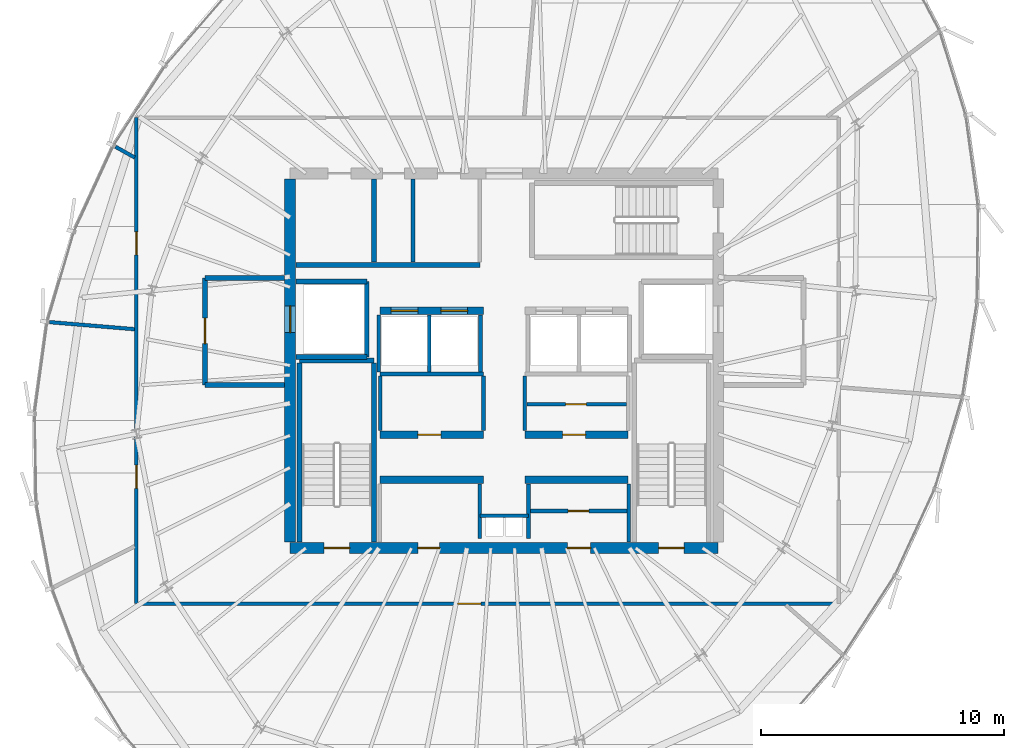
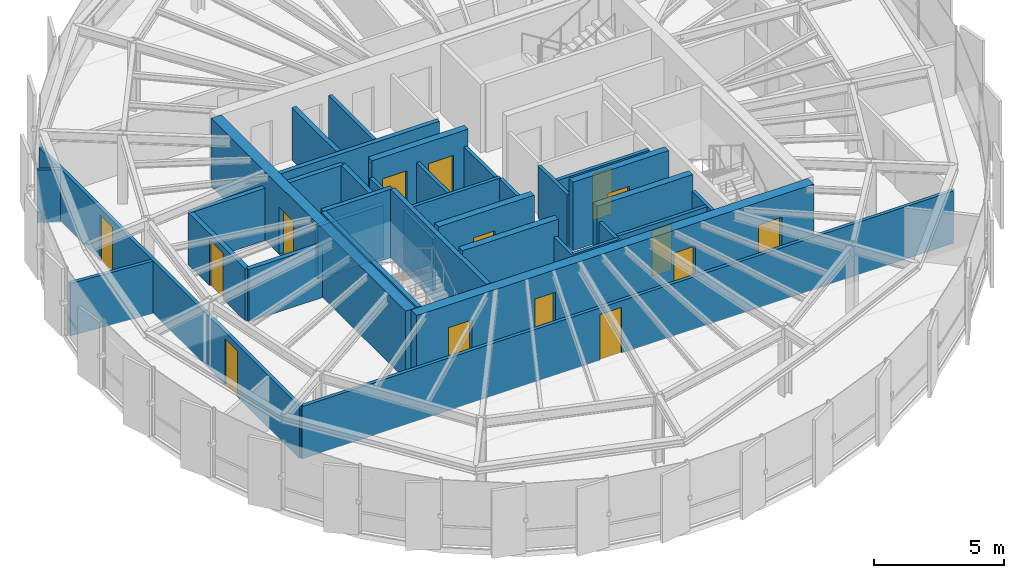
# One storey, part 26 of 32: 36 walls, 15 doors, 15 openings.
"""IFC4 building model written with IfcOpenShell, lengths in metres."""

from ifc_helpers import new_model, si_unit, direction, frame, frame_2d, origin, place, context, subcontext, project, spatial, rectangle, extrude, source, transform, mapped, material, layer, layer_set, type_object, element, fill, save


model = new_model("IFC4")

# Units and contexts
model_context = context("Model", 3, precision=1e-05, world=origin(), true_north=direction((0.0, 1.0)))
body_context = subcontext(model_context, "Body", "Model", "MODEL_VIEW")
ifc_project = project(units=[si_unit("LENGTHUNIT", "METRE"), si_unit("AREAUNIT", "SQUARE_METRE"), si_unit("VOLUMEUNIT", "CUBIC_METRE"), si_unit("PLANEANGLEUNIT", "RADIAN"), si_unit("MASSUNIT", "GRAM", prefix="KILO"), si_unit("THERMODYNAMICTEMPERATUREUNIT", "KELVIN")], contexts=[model_context])

# Site, building, storey
site_placement = place(None, origin())
site = spatial("IfcSite", under=ifc_project, at=site_placement, CompositionType="ELEMENT")
building_placement = place(site_placement, origin())
building = spatial("IfcBuilding", under=site, at=building_placement, Name="Kethvar Cultural Tower", CompositionType="ELEMENT")
storey_placement = place(building_placement, frame((0.0, 0.0, 280.14990234375)))
storey = spatial("IfcBuildingStorey", under=building, at=storey_placement, Name="L74", CompositionType="ELEMENT", Elevation=280.14990234375)

# Wall, openings, doors
ifc_material_1 = material(Name="Concrete C50/60", Category="concrete")
ifc_layer_1 = layer(ifc_material_1, 0.449951171875, Name="Concrete C50/60", Category="concrete")
ifc_layer_set_1 = layer_set([ifc_layer_1], Name="Concrete C50/60 (450 mm)")
wall_type_1 = type_object("IfcWallType", Name="WL-CORE-450", PredefinedType="SHEAR", material=ifc_layer_set_1)
wall_1_placement = place(storey_placement, frame((38.0, 20.10009765625, 0.0), z_axis=(0.0, 0.0, 1.0), x_axis=(1.0, 0.0, 0.0)))
wall_1 = element("IfcWall", 1, at=wall_1_placement, inside=storey, type_object=wall_type_1, Name="L74 Core Shear Wall S", PredefinedType="SHEAR", context=body_context, shape_type="SweptSolid", body=[
    extrude(rectangle(XDim=17.60009765625, YDim=0.449951171875, at=frame_2d((8.800048828125, 0.0))), origin(), (0.0, 0.0, 1.0), 3.210205078125),
])
opening_1_placement = place(wall_1_placement, frame((1.39990234375, 0.0, 0.0)))
opening_1 = element("IfcOpeningElement", 2, at=opening_1_placement, cuts=wall_1, Name="Opening D-L74-S1", PredefinedType="OPENING", context=body_context, shape_type="SweptSolid", body=[
    extrude(rectangle(XDim=1.050048828125, YDim=2.14990234375, at=frame_2d((0.52490234375, 1.074951171875))), frame((0.0, 0.23486328125, 0.0), z_axis=(0.0, -1.0, 0.0), x_axis=(1.0, 0.0, 0.0)), (0.0, 0.0, 1.0), 0.469970703125),
])
opening_2_placement = place(wall_1_placement, frame((15.14990234375, 0.0, 0.0)))
opening_2 = element("IfcOpeningElement", 3, at=opening_2_placement, cuts=wall_1, Name="Opening D-L74-ST2", PredefinedType="OPENING", context=body_context, shape_type="SweptSolid", body=[
    extrude(rectangle(XDim=1.050048828125, YDim=2.14990234375, at=frame_2d((0.52490234375, 1.074951171875))), frame((0.0, 0.23486328125, 0.0), z_axis=(0.0, -1.0, 0.0), x_axis=(1.0, 0.0, 0.0)), (0.0, 0.0, 1.0), 0.469970703125),
])
opening_3_placement = place(wall_1_placement, frame((5.25, 0.0, 0.0)))
opening_3 = element("IfcOpeningElement", 4, at=opening_3_placement, cuts=wall_1, Name="Opening D-L74-V1", PredefinedType="OPENING", context=body_context, shape_type="SweptSolid", body=[
    extrude(rectangle(XDim=0.89990234375, YDim=2.14990234375, at=frame_2d((0.449951171875, 1.074951171875))), frame((0.0, 0.23486328125, 0.0), z_axis=(0.0, -1.0, 0.0), x_axis=(1.0, 0.0, 0.0)), (0.0, 0.0, 1.0), 0.469970703125),
])
opening_4_placement = place(wall_1_placement, frame((11.39990234375, 0.0, 0.0)))
opening_4 = element("IfcOpeningElement", 5, at=opening_4_placement, cuts=wall_1, Name="Opening D-L74-V2", PredefinedType="OPENING", context=body_context, shape_type="SweptSolid", body=[
    extrude(rectangle(XDim=0.949951171875, YDim=2.14990234375, at=frame_2d((0.47509765625, 1.074951171875))), frame((0.0, 0.23486328125, 0.0), z_axis=(0.0, -1.0, 0.0), x_axis=(1.0, 0.0, 0.0)), (0.0, 0.0, 1.0), 0.469970703125),
])
ifc_material_2 = material(Name="Steel S355J2", Category="steel")
door_type_1 = type_object("IfcDoorType", Name="DR-FD60-1050", OperationType="NOTDEFINED", PredefinedType="DOOR", material=ifc_material_2)
shared_shape_1 = source(origin(), body_context, "Body", "SweptSolid", [
    extrude(rectangle(XDim=1.050048828125, YDim=2.14990234375, at=frame_2d((0.52490234375, 1.074951171875))), frame((0.0, 0.02490234375, 0.0), z_axis=(0.0, -1.0, 0.0), x_axis=(1.0, 0.0, 0.0)), (0.0, 0.0, 1.0), 0.050048828125),
])
door_1_placement = place(opening_1_placement, origin())
door_1 = element("IfcDoor", 6, at=door_1_placement, inside=storey, type_object=door_type_1, Name="L74 Exit Stair 1 Door", OperationType="SINGLE_SWING_LEFT", OverallHeight=2.14990234375, OverallWidth=1.050048828125, PredefinedType="DOOR", context=body_context, shape_type="MappedRepresentation", body=[
    mapped(shared_shape_1, transform((0.0, 0.0, 0.0), scale=1.0)),
])
fill(opening_1, door_1)
door_2_placement = place(opening_2_placement, origin())
door_2 = element("IfcDoor", 7, at=door_2_placement, inside=storey, type_object=door_type_1, Name="L74 Exit Stair 2 Door", OperationType="SINGLE_SWING_RIGHT", OverallHeight=2.14990234375, OverallWidth=1.050048828125, PredefinedType="DOOR", context=body_context, shape_type="MappedRepresentation", body=[
    mapped(shared_shape_1, transform((0.0, 0.0, 0.0), scale=1.0)),
])
fill(opening_2, door_2)
ifc_material_3 = material(Name="Architectural Oak Timber", Category="wood")
door_type_2 = type_object("IfcDoorType", Name="DR-FD30-950", OperationType="NOTDEFINED", PredefinedType="DOOR", material=ifc_material_3)
shared_shape_2 = source(origin(), body_context, "Body", "SweptSolid", [
    extrude(rectangle(XDim=0.949951171875, YDim=2.14990234375, at=frame_2d((0.47509765625, 1.074951171875))), frame((0.0, 0.02490234375, 0.0), z_axis=(0.0, -1.0, 0.0), x_axis=(1.0, 0.0, 0.0)), (0.0, 0.0, 1.0), 0.050048828125),
])
door_3_placement = place(opening_4_placement, origin())
door_3 = element("IfcDoor", 8, at=door_3_placement, inside=storey, type_object=door_type_2, Name="L74 Bindery Supply Door", OperationType="SINGLE_SWING_RIGHT", OverallHeight=2.14990234375, OverallWidth=0.949951171875, PredefinedType="DOOR", context=body_context, shape_type="MappedRepresentation", body=[
    mapped(shared_shape_2, transform((0.0, 0.0, 0.0), scale=1.0)),
])
fill(opening_4, door_3)
door_type_3 = type_object("IfcDoorType", Name="DR-FD30-900", OperationType="NOTDEFINED", PredefinedType="DOOR", material=ifc_material_3)
shared_shape_3 = source(origin(), body_context, "Body", "SweptSolid", [
    extrude(rectangle(XDim=0.89990234375, YDim=2.14990234375, at=frame_2d((0.449951171875, 1.074951171875))), frame((0.0, 0.02490234375, 0.0), z_axis=(0.0, -1.0, 0.0), x_axis=(1.0, 0.0, 0.0)), (0.0, 0.0, 1.0), 0.050048828125),
])
door_4_placement = place(opening_3_placement, origin())
door_4 = element("IfcDoor", 9, at=door_4_placement, inside=storey, type_object=door_type_3, Name="L74 Folio Vault Door", OperationType="SINGLE_SWING_LEFT", OverallHeight=2.14990234375, OverallWidth=0.89990234375, PredefinedType="DOOR", context=body_context, shape_type="MappedRepresentation", body=[
    mapped(shared_shape_3, transform((0.0, 0.0, 0.0), scale=1.0)),
])
fill(opening_3, door_4)

# Wall, opening, door
wall_2_placement = place(storey_placement, frame((38.0, 35.260009765625, 0.0), z_axis=(0.0, 0.0, 1.0), x_axis=(0.0, -1.0, 0.0)))
wall_2 = element("IfcWall", 10, at=wall_2_placement, inside=storey, type_object=wall_type_1, Name="L74 Core Shear Wall W", PredefinedType="SHEAR", context=body_context, shape_type="SweptSolid", body=[
    extrude(rectangle(XDim=14.919921875, YDim=0.449951171875, at=frame_2d((7.4599609375, 0.0))), origin(), (0.0, 0.0, 1.0), 3.210205078125),
])
opening_5_placement = place(wall_2_placement, frame((5.2099609375, 0.0, 0.0)))
opening_5 = element("IfcOpeningElement", 11, at=opening_5_placement, cuts=wall_2, Name="Opening LD-1", PredefinedType="OPENING", context=body_context, shape_type="SweptSolid", body=[
    extrude(rectangle(XDim=1.10009765625, YDim=2.199951171875, at=frame_2d((0.550048828125, 1.10009765625))), frame((0.0, 0.23486328125, 0.0), z_axis=(0.0, -1.0, 0.0), x_axis=(1.0, 0.0, 0.0)), (0.0, 0.0, 1.0), 0.469970703125),
])
door_type_4 = type_object("IfcDoorType", Name="DR-LIFT-SLIDE-1100", OperationType="NOTDEFINED", PredefinedType="DOOR", material=ifc_material_2)
shared_shape_4 = source(origin(), body_context, "Body", "SweptSolid", [
    extrude(rectangle(XDim=1.10009765625, YDim=2.199951171875, at=frame_2d((0.550048828125, 1.10009765625))), frame((0.0, 0.02490234375, 0.0), z_axis=(0.0, -1.0, 0.0), x_axis=(1.0, 0.0, 0.0)), (0.0, 0.0, 1.0), 0.050048828125),
])
door_5_placement = place(opening_5_placement, origin())
door_5 = element("IfcDoor", 12, at=door_5_placement, inside=storey, type_object=door_type_4, Name="L74 Firefighting Lift Landing Door FFL-01", OperationType="SLIDING_TO_LEFT", OverallHeight=2.199951171875, OverallWidth=1.10009765625, PredefinedType="DOOR", context=body_context, shape_type="MappedRepresentation", body=[
    mapped(shared_shape_4, transform((0.0, 0.0, 0.0), scale=1.0)),
])
fill(opening_5, door_5)

# Walls
ifc_material_4 = material(Name="Gypsum Fireboard Partition")
ifc_layer_2 = layer(ifc_material_4, 0.14990234375, Name="Gypsum Fireboard Partition")
ifc_layer_set_2 = layer_set([ifc_layer_2], Name="Gypsum Fireboard Partition (150 mm)")
wall_type_2 = type_object("IfcWallType", Name="WL-FIRE-150", PredefinedType="PARTITIONING", material=ifc_layer_set_2)
wall_3_placement = place(storey_placement, frame((45.800048828125, 21.419921875, 0.0), z_axis=(0.0, 0.0, 1.0), x_axis=(1.0, 0.0, 0.0)))
element("IfcWall", 13, at=wall_3_placement, inside=storey, type_object=wall_type_2, Name="L74 Core Riser Wall", PredefinedType="PARTITIONING", context=body_context, shape_type="SweptSolid", body=[
    extrude(rectangle(XDim=2.0, YDim=0.14990234375, at=frame_2d((1.0, 0.0))), origin(), (0.0, 0.0, 1.0), 2.455078125),
])
for number, where, z_axis, x_axis, name in (
    (14, (45.800048828125, 20.47998046875, 0.0), (0.0, 0.0, 1.0), (0.0, 1.0, 0.0), "L74 Core Riser West Wall"),
    (15, (47.800048828125, 20.47998046875, 0.0), (0.0, 0.0, 1.0), (0.0, 1.0, 0.0), "L74 Core Riser East Wall"),
):
    element("IfcWall", number, at=place(storey_placement, frame(where, z_axis=z_axis, x_axis=x_axis)), inside=storey, type_object=wall_type_2, Name=name, PredefinedType="PARTITIONING", context=body_context, shape_type="SweptSolid", body=[
        extrude(rectangle(XDim=2.239990234375, YDim=0.14990234375, at=frame_2d((1.1201171875, 0.0))), origin(), (0.0, 0.0, 1.0), 2.455078125),
    ])
wall_4_placement = place(storey_placement, frame((51.919921875, 20.3349609375, 0.0), z_axis=(0.0, 0.0, 1.0), x_axis=(0.0, 1.0, 0.0)))
element("IfcWall", 16, at=wall_4_placement, inside=storey, type_object=wall_type_2, Name="L74 Reclaimed East Outer Wall", PredefinedType="PARTITIONING", context=body_context, shape_type="SweptSolid", body=[
    extrude(rectangle(XDim=2.39501953125, YDim=0.14990234375, at=frame_2d((1.197509765625, 0.0))), origin(), (0.0, 0.0, 1.0), 2.455078125),
])

# Wall, opening, door
wall_5_placement = place(storey_placement, frame((47.8798828125, 21.6201171875, 0.0), z_axis=(0.0, 0.0, 1.0), x_axis=(1.0, 0.0, 0.0)))
wall_5 = element("IfcWall", 17, at=wall_5_placement, inside=storey, type_object=wall_type_2, Name="L74 Pantry Gallery Wall E", PredefinedType="PARTITIONING", context=body_context, shape_type="SweptSolid", body=[
    extrude(rectangle(XDim=3.960205078125, YDim=0.14990234375, at=frame_2d((1.97998046875, 0.0))), origin(), (0.0, 0.0, 1.0), 2.455078125),
])
opening_6_placement = place(wall_5_placement, frame((1.550048828125, 0.0, 0.0)))
opening_6 = element("IfcOpeningElement", 18, at=opening_6_placement, cuts=wall_5, Name="Opening D-L74-V3", PredefinedType="OPENING", context=body_context, shape_type="SweptSolid", body=[
    extrude(rectangle(XDim=0.85009765625, YDim=2.14990234375, at=frame_2d((0.425048828125, 1.074951171875))), frame((0.0, 0.0849609375, 0.0), z_axis=(0.0, -1.0, 0.0), x_axis=(1.0, 0.0, 0.0)), (0.0, 0.0, 1.0), 0.169921875),
])
door_type_5 = type_object("IfcDoorType", Name="DR-FD30-850", OperationType="NOTDEFINED", PredefinedType="DOOR", material=ifc_material_2)
shared_shape_5 = source(origin(), body_context, "Body", "SweptSolid", [
    extrude(rectangle(XDim=0.85009765625, YDim=2.14990234375, at=frame_2d((0.425048828125, 1.074951171875))), frame((0.0, 0.02490234375, 0.0), z_axis=(0.0, -1.0, 0.0), x_axis=(1.0, 0.0, 0.0)), (0.0, 0.0, 1.0), 0.050048828125),
])
door_6_placement = place(opening_6_placement, origin())
door_6 = element("IfcDoor", 19, at=door_6_placement, inside=storey, type_object=door_type_5, Name="L74 Inner Pantry Gallery Door", OperationType="SINGLE_SWING_RIGHT", OverallHeight=2.14990234375, OverallWidth=0.85009765625, PredefinedType="DOOR", context=body_context, shape_type="MappedRepresentation", body=[
    mapped(shared_shape_5, transform((0.0, 0.0, 0.0), scale=1.0)),
])
fill(opening_6, door_6)

# Walls
wall_6_placement = place(storey_placement, frame((41.699951171875, 27.25, 0.0), z_axis=(0.0, 0.0, 1.0), x_axis=(1.0, 0.0, 0.0)))
element("IfcWall", 20, at=wall_6_placement, inside=storey, type_object=wall_type_2, Name="L74 Reclaimed Mid Wall W", PredefinedType="PARTITIONING", context=body_context, shape_type="SweptSolid", body=[
    extrude(rectangle(XDim=4.25, YDim=0.14990234375, at=frame_2d((2.125, 0.0))), origin(), (0.0, 0.0, 1.0), 2.455078125),
])
for number, where, z_axis, x_axis, name in (
    (21, (41.699951171875, 24.919921875, 0.0), (0.0, 0.0, 1.0), (0.0, 1.0, 0.0), "L74 Reclaimed Mid Outer W"),
    (22, (45.949951171875, 24.919921875, 0.0), (0.0, 0.0, 1.0), (0.0, 1.0, 0.0), "L74 Reclaimed Mid Spine W"),
    (23, (47.64990234375, 24.919921875, 0.0), (0.0, 0.0, 1.0), (0.0, 1.0, 0.0), "L74 Reclaimed Mid Spine E"),
):
    element("IfcWall", number, at=place(storey_placement, frame(where, z_axis=z_axis, x_axis=x_axis)), inside=storey, type_object=wall_type_2, Name=name, PredefinedType="PARTITIONING", context=body_context, shape_type="SweptSolid", body=[
        extrude(rectangle(XDim=2.239990234375, YDim=0.14990234375, at=frame_2d((1.1201171875, 0.0))), origin(), (0.0, 0.0, 1.0), 2.455078125),
    ])

# Wall, opening, door
wall_7_placement = place(storey_placement, frame((47.72998046875, 26.010009765625, 0.0), z_axis=(0.0, 0.0, 1.0), x_axis=(1.0, 0.0, 0.0)))
wall_7 = element("IfcWall", 24, at=wall_7_placement, inside=storey, type_object=wall_type_2, Name="L74 Mid Gallery Wall E", PredefinedType="PARTITIONING", context=body_context, shape_type="SweptSolid", body=[
    extrude(rectangle(XDim=4.090087890625, YDim=0.14990234375, at=frame_2d((2.044921875, 0.0))), origin(), (0.0, 0.0, 1.0), 2.455078125),
])
opening_7_placement = place(wall_7_placement, frame((1.60009765625, 0.0, 0.0)))
opening_7 = element("IfcOpeningElement", 25, at=opening_7_placement, cuts=wall_7, Name="Opening D-L74-M3", PredefinedType="OPENING", context=body_context, shape_type="SweptSolid", body=[
    extrude(rectangle(XDim=0.85009765625, YDim=2.14990234375, at=frame_2d((0.425048828125, 1.074951171875))), frame((0.0, 0.0849609375, 0.0), z_axis=(0.0, -1.0, 0.0), x_axis=(1.0, 0.0, 0.0)), (0.0, 0.0, 1.0), 0.169921875),
])
door_7_placement = place(opening_7_placement, origin())
door_7 = element("IfcDoor", 26, at=door_7_placement, inside=storey, type_object=door_type_5, Name="L74 UPS Inner Door", OperationType="SINGLE_SWING_RIGHT", OverallHeight=2.14990234375, OverallWidth=0.85009765625, PredefinedType="DOOR", context=body_context, shape_type="MappedRepresentation", body=[
    mapped(shared_shape_5, transform((0.0, 0.0, 0.0), scale=1.0)),
])
fill(opening_7, door_7)

# Walls
for number, where, z_axis, x_axis, name in (
    (27, (41.64990234375, 27.340087890625, 0.0), (0.0, 0.0, 1.0), (0.0, 1.0, 0.0), "L74 High-Rise Lift Shaft Outer Wall W"),
    (28, (43.72509765625, 27.340087890625, 0.0), (0.0, 0.0, 1.0), (0.0, 1.0, 0.0), "L74 High-Rise Lift Shaft Divider W"),
    (29, (45.824951171875, 27.340087890625, 0.0), (0.0, 0.0, 1.0), (0.0, 1.0, 0.0), "L74 High-Rise Lift Shaft Concourse Wall W"),
):
    element("IfcWall", number, at=place(storey_placement, frame(where, z_axis=z_axis, x_axis=x_axis)), inside=storey, type_object=wall_type_2, Name=name, PredefinedType="PARTITIONING", context=body_context, shape_type="SweptSolid", body=[
        extrude(rectangle(XDim=2.33984375, YDim=0.14990234375, at=frame_2d((1.169921875, 0.0))), origin(), (0.0, 0.0, 1.0), 2.455078125),
    ])

# Wall, opening, door
wall_8_placement = place(storey_placement, frame((31.679931640625, 17.806884765625, 0.0), z_axis=(0.0, 0.0, 1.0), x_axis=(1.0, 0.0, 0.0)))
wall_8 = element("IfcWall", 30, at=wall_8_placement, inside=storey, type_object=wall_type_2, Name="L74 Corridor Rated Wall S", PredefinedType="PARTITIONING", context=body_context, shape_type="SweptSolid", body=[
    extrude(rectangle(XDim=28.8701171875, YDim=0.14990234375, at=frame_2d((14.43505859375, 0.0))), origin(), (0.0, 0.0, 1.0), 2.455078125),
])
opening_8_placement = place(wall_8_placement, frame((13.208740234375, 0.0, 0.0)))
opening_8 = element("IfcOpeningElement", 31, at=opening_8_placement, cuts=wall_8, Name="Opening D-L74-01", PredefinedType="OPENING", context=body_context, shape_type="SweptSolid", body=[
    extrude(rectangle(XDim=0.949951171875, YDim=2.14990234375, at=frame_2d((0.47509765625, 1.074951171875))), frame((0.0, 0.0849609375, 0.0), z_axis=(0.0, -1.0, 0.0), x_axis=(1.0, 0.0, 0.0)), (0.0, 0.0, 1.0), 0.169921875),
])
door_8_placement = place(opening_8_placement, origin())
door_8 = element("IfcDoor", 32, at=door_8_placement, inside=storey, type_object=door_type_2, Name="L74 Panoramic Reading Lounge 01 Door", OperationType="SINGLE_SWING_LEFT", OverallHeight=2.14990234375, OverallWidth=0.949951171875, PredefinedType="DOOR", context=body_context, shape_type="MappedRepresentation", body=[
    mapped(shared_shape_2, transform((0.0, 0.0, 0.0), scale=1.0)),
])
fill(opening_8, door_8)

# Wall, openings, doors
wall_9_placement = place(storey_placement, frame((31.679931640625, 37.79296875, 0.0), z_axis=(0.0, 0.0, 1.0), x_axis=(0.0, -1.0, 0.0)))
wall_9 = element("IfcWall", 33, at=wall_9_placement, inside=storey, type_object=wall_type_2, Name="L74 Corridor Rated Wall W", PredefinedType="PARTITIONING", context=body_context, shape_type="SweptSolid", body=[
    extrude(rectangle(XDim=19.986083984375, YDim=0.14990234375, at=frame_2d((9.9931640625, 0.0))), origin(), (0.0, 0.0, 1.0), 2.455078125),
])
opening_9_placement = place(wall_9_placement, frame((4.69921875, 0.0, 0.0)))
opening_9 = element("IfcOpeningElement", 34, at=opening_9_placement, cuts=wall_9, Name="Opening D-L74-06", PredefinedType="OPENING", context=body_context, shape_type="SweptSolid", body=[
    extrude(rectangle(XDim=0.949951171875, YDim=2.14990234375, at=frame_2d((0.47509765625, 1.074951171875))), frame((0.0, 0.0849609375, 0.0), z_axis=(0.0, -1.0, 0.0), x_axis=(1.0, 0.0, 0.0)), (0.0, 0.0, 1.0), 0.169921875),
])
opening_10_placement = place(wall_9_placement, frame((14.289794921875, 0.0, 0.0)))
opening_10 = element("IfcOpeningElement", 35, at=opening_10_placement, cuts=wall_9, Name="Opening D-L74-07", PredefinedType="OPENING", context=body_context, shape_type="SweptSolid", body=[
    extrude(rectangle(XDim=0.949951171875, YDim=2.14990234375, at=frame_2d((0.47509765625, 1.074951171875))), frame((0.0, 0.0849609375, 0.0), z_axis=(0.0, -1.0, 0.0), x_axis=(1.0, 0.0, 0.0)), (0.0, 0.0, 1.0), 0.169921875),
])
door_9_placement = place(opening_9_placement, origin())
door_9 = element("IfcDoor", 36, at=door_9_placement, inside=storey, type_object=door_type_2, Name="L74 Scholars' Servery Pantry 06 Door", OperationType="SINGLE_SWING_RIGHT", OverallHeight=2.14990234375, OverallWidth=0.949951171875, PredefinedType="DOOR", context=body_context, shape_type="MappedRepresentation", body=[
    mapped(shared_shape_2, transform((0.0, 0.0, 0.0), scale=1.0)),
])
fill(opening_9, door_9)
door_10_placement = place(opening_10_placement, origin())
door_10 = element("IfcDoor", 37, at=door_10_placement, inside=storey, type_object=door_type_2, Name="L74 Cultural Periodicals Kiosk 07 Door", OperationType="SINGLE_SWING_LEFT", OverallHeight=2.14990234375, OverallWidth=0.949951171875, PredefinedType="DOOR", context=body_context, shape_type="MappedRepresentation", body=[
    mapped(shared_shape_2, transform((0.0, 0.0, 0.0), scale=1.0)),
])
fill(opening_10, door_10)

# Walls
ifc_material_5 = material(Name="Concrete C40/50", Category="concrete")
ifc_layer_3 = layer(ifc_material_5, 0.199951171875, Name="Concrete C40/50", Category="concrete")
ifc_layer_set_3 = layer_set([ifc_layer_3], Name="Concrete C40/50 (200 mm)")
wall_type_3 = type_object("IfcWallType", Name="WL-FIRE-200", PredefinedType="PARTITIONING", material=ifc_layer_set_3)
wall_10_placement = place(storey_placement, frame((41.14990234375, 27.949951171875, 0.0), z_axis=(0.0, 0.0, 1.0), x_axis=(0.0, 1.0, 0.0)))
element("IfcWall", 38, at=wall_10_placement, inside=storey, type_object=wall_type_3, Name="L74 FFL-01 Shaft Inner Wall", PredefinedType="PARTITIONING", context=body_context, shape_type="SweptSolid", body=[
    extrude(rectangle(XDim=3.10009765625, YDim=0.199951171875, at=frame_2d((1.550048828125, 0.0))), origin(), (0.0, 0.0, 1.0), 2.455078125),
])
for number, where, z_axis, x_axis, name in (
    (39, (38.235107421875, 27.949951171875, 0.0), (0.0, 0.0, 1.0), (1.0, 0.0, 0.0), "L74 FFL-01 Shaft South Wall"),
    (40, (38.235107421875, 31.050048828125, 0.0), (0.0, 0.0, 1.0), (1.0, 0.0, 0.0), "L74 FFL-01 Shaft North Wall"),
):
    element("IfcWall", number, at=place(storey_placement, frame(where, z_axis=z_axis, x_axis=x_axis)), inside=storey, type_object=wall_type_3, Name=name, PredefinedType="PARTITIONING", context=body_context, shape_type="SweptSolid", body=[
        extrude(rectangle(XDim=2.914794921875, YDim=0.199951171875, at=frame_2d((1.45751953125, 0.0))), origin(), (0.0, 0.0, 1.0), 2.455078125),
    ])

# Wall, opening, door
wall_11_placement = place(storey_placement, frame((34.5, 31.199951171875, 0.0), z_axis=(0.0, 0.0, 1.0), x_axis=(0.0, -1.0, 0.0)))
wall_11 = element("IfcWall", 41, at=wall_11_placement, inside=storey, type_object=wall_type_3, Name="L74 Firefighting Lobby 1 Wall", PredefinedType="PARTITIONING", context=body_context, shape_type="SweptSolid", body=[
    extrude(rectangle(XDim=4.39990234375, YDim=0.199951171875, at=frame_2d((2.199951171875, 0.0))), origin(), (0.0, 0.0, 1.0), 2.455078125),
])
opening_11_placement = place(wall_11_placement, frame((1.64990234375, 0.0, 0.0)))
opening_11 = element("IfcOpeningElement", 42, at=opening_11_placement, cuts=wall_11, Name="Opening D-L74-F1", PredefinedType="OPENING", context=body_context, shape_type="SweptSolid", body=[
    extrude(rectangle(XDim=1.050048828125, YDim=2.14990234375, at=frame_2d((0.52490234375, 1.074951171875))), frame((0.0, 0.10986328125, 0.0), z_axis=(0.0, -1.0, 0.0), x_axis=(1.0, 0.0, 0.0)), (0.0, 0.0, 1.0), 0.219970703125),
])
door_11_placement = place(opening_11_placement, origin())
door_11 = element("IfcDoor", 43, at=door_11_placement, inside=storey, type_object=door_type_1, Name="L74 Firefighting Lobby 1 Fire Door", OperationType="SINGLE_SWING_LEFT", OverallHeight=2.14990234375, OverallWidth=1.050048828125, PredefinedType="DOOR", context=body_context, shape_type="MappedRepresentation", body=[
    mapped(shared_shape_1, transform((0.0, 0.0, 0.0), scale=1.0)),
])
fill(opening_11, door_11)

# Walls
for number, where, z_axis, x_axis, name in (
    (44, (34.5, 26.800048828125, 0.0), (0.0, 0.0, 1.0), (1.0, 0.0, 0.0), "L74 FF Lobby 1 South Wall"),
    (45, (34.5, 31.199951171875, 0.0), (0.0, 0.0, 1.0), (1.0, 0.0, 0.0), "L74 FF Lobby 1 North Wall"),
):
    element("IfcWall", number, at=place(storey_placement, frame(where, z_axis=z_axis, x_axis=x_axis)), inside=storey, type_object=wall_type_3, Name=name, PredefinedType="PARTITIONING", context=body_context, shape_type="SweptSolid", body=[
        extrude(rectangle(XDim=3.264892578125, YDim=0.199951171875, at=frame_2d((1.63232421875, 0.0))), origin(), (0.0, 0.0, 1.0), 2.455078125),
    ])
wall_12_placement = place(storey_placement, frame((41.449951171875, 31.85009765625, 0.0), z_axis=(0.0, 0.0, 1.0), x_axis=(0.0, 1.0, 0.0)))
element("IfcWall", 46, at=wall_12_placement, inside=storey, type_object=wall_type_3, Name="L74 NW Core Pocket Wall", PredefinedType="PARTITIONING", context=body_context, shape_type="SweptSolid", body=[
    extrude(rectangle(XDim=3.414794921875, YDim=0.199951171875, at=frame_2d((1.70751953125, 0.0))), origin(), (0.0, 0.0, 1.0), 2.455078125),
])
wall_13_placement = place(storey_placement, frame((38.235107421875, 31.72998046875, 0.0), z_axis=(0.0, 0.0, 1.0), x_axis=(1.0, 0.0, 0.0)))
element("IfcWall", 47, at=wall_13_placement, inside=storey, type_object=wall_type_3, Name="L74 North Core Sanitary South Wall", PredefinedType="PARTITIONING", context=body_context, shape_type="SweptSolid", body=[
    extrude(rectangle(XDim=7.56494140625, YDim=0.199951171875, at=frame_2d((3.782470703125, 0.0))), origin(), (0.0, 0.0, 1.0), 2.455078125),
])
ifc_material_6 = material(Name="Gypsum Acoustic Partition")
ifc_layer_4 = layer(ifc_material_6, 0.14990234375, Name="Gypsum Acoustic Partition")
ifc_layer_set_4 = layer_set([ifc_layer_4], Name="Gypsum Acoustic Partition (150 mm)")
wall_type_4 = type_object("IfcWallType", Name="WL-PART-150", PredefinedType="PARTITIONING", material=ifc_layer_set_4)
wall_14_placement = place(storey_placement, frame((31.610107421875, 36.1513671875, 0.0), z_axis=(0.0, 0.0, 1.0), x_axis=(-0.87313905588, 0.487471218736, 0.0)))
element("IfcWall", 48, at=wall_14_placement, inside=storey, type_object=wall_type_4, Name="L74 Radial Partition Wall 06", PredefinedType="PARTITIONING", context=body_context, shape_type="SweptSolid", body=[
    extrude(rectangle(XDim=0.906494140625, YDim=0.14990234375, at=frame_2d((0.453125, 0.0))), origin(), (0.0, 0.0, 1.0), 2.455078125),
])
wall_15_placement = place(storey_placement, frame((31.600341796875, 29.092041015625, 0.0), z_axis=(0.0, 0.0, 1.0), x_axis=(-0.996524108066, 0.083304874065, 0.0)))
element("IfcWall", 49, at=wall_15_placement, inside=storey, type_object=wall_type_4, Name="L74 Radial Partition Wall 07", PredefinedType="PARTITIONING", context=body_context, shape_type="SweptSolid", body=[
    extrude(rectangle(XDim=3.505126953125, YDim=0.14990234375, at=frame_2d((1.75244140625, 0.0))), origin(), (0.0, 0.0, 1.0), 2.455078125),
])
ifc_material_7 = material(Name="Moisture-Resistant Sanitary Chase Wall")
ifc_layer_5 = layer(ifc_material_7, 0.14990234375, Name="Moisture-Resistant Sanitary Chase Wall")
ifc_layer_set_5 = layer_set([ifc_layer_5], Name="Moisture-Resistant Sanitary Chase Wall (150 mm)")
wall_type_5 = type_object("IfcWallType", Name="WL-PLUMB-150", PredefinedType="PLUMBINGWALL", material=ifc_layer_set_5)
wall_16_placement = place(storey_placement, frame((43.050048828125, 31.85009765625, 0.0), z_axis=(0.0, 0.0, 1.0), x_axis=(0.0, 1.0, 0.0)))
element("IfcWall", 50, at=wall_16_placement, inside=storey, type_object=wall_type_5, Name="L74 Sanitary Plumbing Wall", PredefinedType="PLUMBINGWALL", context=body_context, shape_type="SweptSolid", body=[
    extrude(rectangle(XDim=3.414794921875, YDim=0.14990234375, at=frame_2d((1.70751953125, 0.0))), origin(), (0.0, 0.0, 1.0), 2.455078125),
])
ifc_layer_6 = layer(ifc_material_1, 0.300048828125, Name="Concrete C50/60", Category="concrete")
ifc_layer_set_6 = layer_set([ifc_layer_6], Name="Concrete C50/60 (300 mm)")
wall_type_6 = type_object("IfcWallType", Name="WL-SHAFT-300", PredefinedType="SHEAR", material=ifc_layer_set_6)
for number, where, z_axis, x_axis, name in (
    (51, (41.699951171875, 22.89990234375, 0.0), (0.0, 0.0, 1.0), (1.0, 0.0, 0.0), "L74 Core Lift Spine Wall MID1W"),
    (52, (47.64990234375, 22.89990234375, 0.0), (0.0, 0.0, 1.0), (1.0, 0.0, 0.0), "L74 Core Lift Spine Wall MID1E"),
):
    element("IfcWall", number, at=place(storey_placement, frame(where, z_axis=z_axis, x_axis=x_axis)), inside=storey, type_object=wall_type_6, Name=name, PredefinedType="SHEAR", context=body_context, shape_type="SweptSolid", body=[
        extrude(rectangle(XDim=4.25, YDim=0.300048828125, at=frame_2d((2.125, 0.0))), origin(), (0.0, 0.0, 1.0), 3.210205078125),
    ])

# Wall, opening, door
wall_17_placement = place(storey_placement, frame((41.699951171875, 24.75, 0.0), z_axis=(0.0, 0.0, 1.0), x_axis=(1.0, 0.0, 0.0)))
wall_17 = element("IfcWall", 53, at=wall_17_placement, inside=storey, type_object=wall_type_6, Name="L74 Core Lift Spine Wall MID2W", PredefinedType="SHEAR", context=body_context, shape_type="SweptSolid", body=[
    extrude(rectangle(XDim=4.25, YDim=0.300048828125, at=frame_2d((2.125, 0.0))), origin(), (0.0, 0.0, 1.0), 3.210205078125),
])
opening_12_placement = place(wall_17_placement, frame((1.550048828125, 0.0, 0.0)))
opening_12 = element("IfcOpeningElement", 54, at=opening_12_placement, cuts=wall_17, Name="Opening D-L74-M1", PredefinedType="OPENING", context=body_context, shape_type="SweptSolid", body=[
    extrude(rectangle(XDim=0.949951171875, YDim=2.14990234375, at=frame_2d((0.47509765625, 1.074951171875))), frame((0.0, 0.159912109375, 0.0), z_axis=(0.0, -1.0, 0.0), x_axis=(1.0, 0.0, 0.0)), (0.0, 0.0, 1.0), 0.320068359375),
])
door_12_placement = place(opening_12_placement, origin())
door_12 = element("IfcDoor", 55, at=door_12_placement, inside=storey, type_object=door_type_2, Name="L74 Broadcast Rack Door", OperationType="SINGLE_SWING_LEFT", OverallHeight=2.14990234375, OverallWidth=0.949951171875, PredefinedType="DOOR", context=body_context, shape_type="MappedRepresentation", body=[
    mapped(shared_shape_2, transform((0.0, 0.0, 0.0), scale=1.0)),
])
fill(opening_12, door_12)

wall_18_placement = place(storey_placement, frame((47.64990234375, 24.75, 0.0), z_axis=(0.0, 0.0, 1.0), x_axis=(1.0, 0.0, 0.0)))
wall_18 = element("IfcWall", 56, at=wall_18_placement, inside=storey, type_object=wall_type_6, Name="L74 Core Lift Spine Wall MID2E", PredefinedType="SHEAR", context=body_context, shape_type="SweptSolid", body=[
    extrude(rectangle(XDim=4.25, YDim=0.300048828125, at=frame_2d((2.125, 0.0))), origin(), (0.0, 0.0, 1.0), 3.210205078125),
])
opening_13_placement = place(wall_18_placement, frame((1.550048828125, 0.0, 0.0)))
opening_13 = element("IfcOpeningElement", 57, at=opening_13_placement, cuts=wall_18, Name="Opening D-L74-M2", PredefinedType="OPENING", context=body_context, shape_type="SweptSolid", body=[
    extrude(rectangle(XDim=0.949951171875, YDim=2.14990234375, at=frame_2d((0.47509765625, 1.074951171875))), frame((0.0, 0.159912109375, 0.0), z_axis=(0.0, -1.0, 0.0), x_axis=(1.0, 0.0, 0.0)), (0.0, 0.0, 1.0), 0.320068359375),
])
door_13_placement = place(opening_13_placement, origin())
door_13 = element("IfcDoor", 58, at=door_13_placement, inside=storey, type_object=door_type_2, Name="L74 UPS Closet Door", OperationType="SINGLE_SWING_RIGHT", OverallHeight=2.14990234375, OverallWidth=0.949951171875, PredefinedType="DOOR", context=body_context, shape_type="MappedRepresentation", body=[
    mapped(shared_shape_2, transform((0.0, 0.0, 0.0), scale=1.0)),
])
fill(opening_13, door_13)

# Wall, openings, doors
wall_19_placement = place(storey_placement, frame((41.699951171875, 29.85009765625, 0.0), z_axis=(0.0, 0.0, 1.0), x_axis=(1.0, 0.0, 0.0)))
wall_19 = element("IfcWall", 59, at=wall_19_placement, inside=storey, type_object=wall_type_6, Name="L74 Core Lift Spine Wall MID3W", PredefinedType="SHEAR", context=body_context, shape_type="SweptSolid", body=[
    extrude(rectangle(XDim=4.25, YDim=0.300048828125, at=frame_2d((2.125, 0.0))), origin(), (0.0, 0.0, 1.0), 3.210205078125),
])
opening_14_placement = place(wall_19_placement, frame((0.449951171875, 0.0, 0.0)))
opening_14 = element("IfcOpeningElement", 60, at=opening_14_placement, cuts=wall_19, Name="Opening LD-H1", PredefinedType="OPENING", context=body_context, shape_type="SweptSolid", body=[
    extrude(rectangle(XDim=1.10009765625, YDim=2.199951171875, at=frame_2d((0.550048828125, 1.10009765625))), frame((0.0, 0.159912109375, 0.0), z_axis=(0.0, -1.0, 0.0), x_axis=(1.0, 0.0, 0.0)), (0.0, 0.0, 1.0), 0.320068359375),
])
opening_15_placement = place(wall_19_placement, frame((2.5, 0.0, 0.0)))
opening_15 = element("IfcOpeningElement", 61, at=opening_15_placement, cuts=wall_19, Name="Opening LD-H2", PredefinedType="OPENING", context=body_context, shape_type="SweptSolid", body=[
    extrude(rectangle(XDim=1.10009765625, YDim=2.199951171875, at=frame_2d((0.550048828125, 1.10009765625))), frame((0.0, 0.159912109375, 0.0), z_axis=(0.0, -1.0, 0.0), x_axis=(1.0, 0.0, 0.0)), (0.0, 0.0, 1.0), 0.320068359375),
])
door_14_placement = place(opening_14_placement, origin())
door_14 = element("IfcDoor", 62, at=door_14_placement, inside=storey, type_object=door_type_4, Name="L74 High-Rise Lift Landing Door H1", OperationType="SLIDING_TO_LEFT", OverallHeight=2.199951171875, OverallWidth=1.10009765625, PredefinedType="DOOR", context=body_context, shape_type="MappedRepresentation", body=[
    mapped(shared_shape_4, transform((0.0, 0.0, 0.0), scale=1.0)),
])
fill(opening_14, door_14)
door_15_placement = place(opening_15_placement, origin())
door_15 = element("IfcDoor", 63, at=door_15_placement, inside=storey, type_object=door_type_4, Name="L74 High-Rise Lift Landing Door H2", OperationType="SLIDING_TO_LEFT", OverallHeight=2.199951171875, OverallWidth=1.10009765625, PredefinedType="DOOR", context=body_context, shape_type="MappedRepresentation", body=[
    mapped(shared_shape_4, transform((0.0, 0.0, 0.0), scale=1.0)),
])
fill(opening_15, door_15)

# Walls
ifc_layer_7 = layer(ifc_material_1, 0.199951171875, Name="Concrete C50/60", Category="concrete")
ifc_layer_set_7 = layer_set([ifc_layer_7], Name="Concrete C50/60 (200 mm)")
wall_type_7 = type_object("IfcWallType", Name="WL-STSHAFT-200", PredefinedType="SHEAR", material=ifc_layer_set_7)
wall_20_placement = place(storey_placement, frame((38.389892578125, 27.800048828125, 0.0), z_axis=(0.0, 0.0, 1.0), x_axis=(1.0, 0.0, 0.0)))
element("IfcWall", 64, at=wall_20_placement, inside=storey, type_object=wall_type_7, Name="L74 ST-01 Stair Shaft Wall FAR", PredefinedType="SHEAR", context=body_context, shape_type="SweptSolid", body=[
    extrude(rectangle(XDim=3.06005859375, YDim=0.199951171875, at=frame_2d((1.530029296875, 0.0))), origin(), (0.0, 0.0, 1.0), 3.210205078125),
])
for number, where, z_axis, x_axis, name in (
    (65, (41.449951171875, 27.699951171875, 0.0), (0.0, 0.0, 1.0), (0.0, -1.0, 0.0), "L74 ST-01 Stair Shaft Wall LEFT"),
    (66, (38.389892578125, 20.35009765625, 0.0), (0.0, 0.0, 1.0), (0.0, 1.0, 0.0), "L74 ST-01 Stair Shaft Wall RIGHT"),
):
    element("IfcWall", number, at=place(storey_placement, frame(where, z_axis=z_axis, x_axis=x_axis)), inside=storey, type_object=wall_type_7, Name=name, PredefinedType="SHEAR", context=body_context, shape_type="SweptSolid", body=[
        extrude(rectangle(XDim=7.349853515625, YDim=0.199951171875, at=frame_2d((3.6748046875, 0.0))), origin(), (0.0, 0.0, 1.0), 3.210205078125),
    ])

save(model, "model.ifc")
